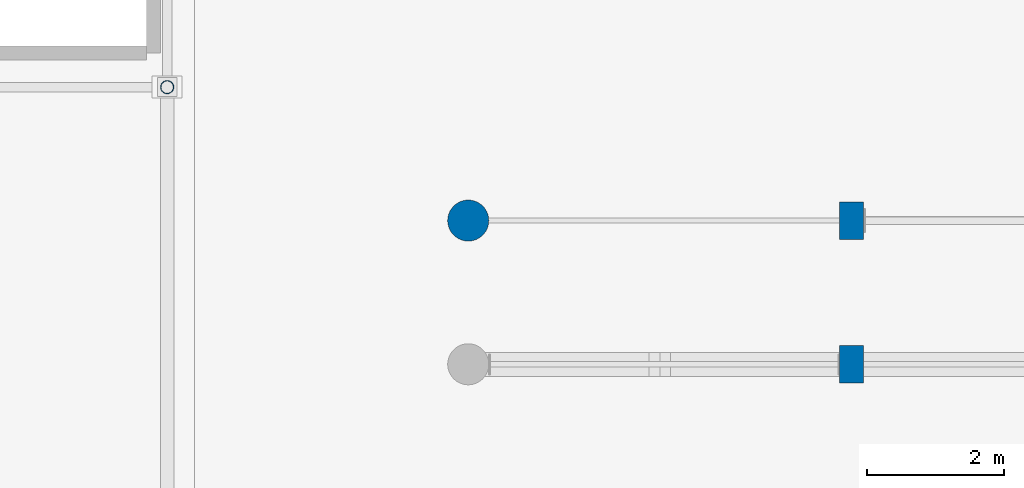
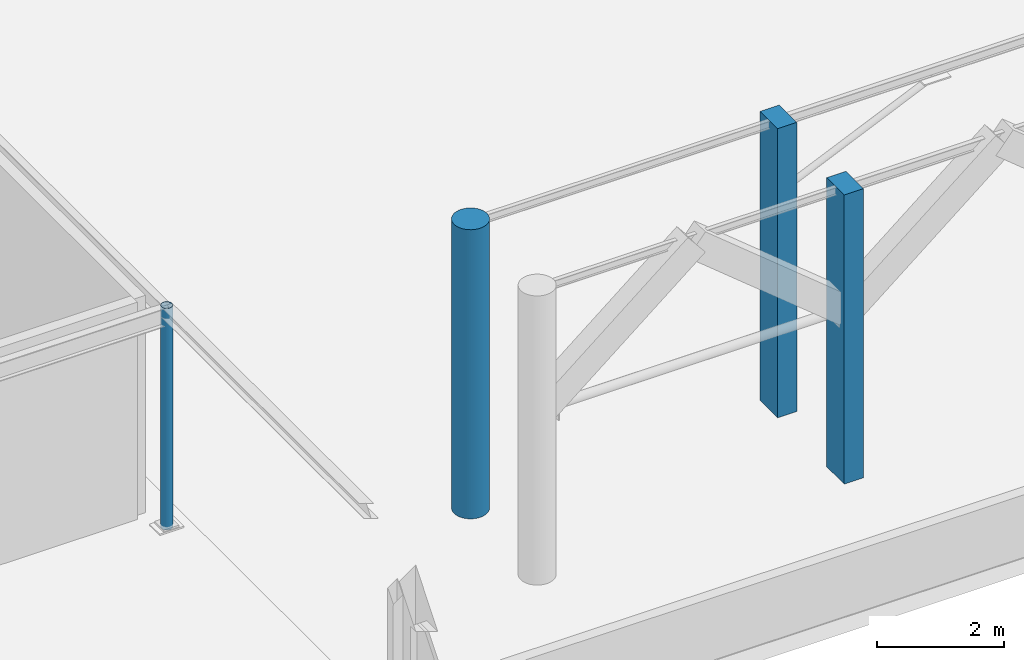
# One storey, part 3 of 135: 4 columns.
"""IFC4 building model written with IfcOpenShell, lengths in metres."""

from ifc_helpers import new_model, si_unit, direction, frame, origin, origin_2d, place, context, subcontext, project, spatial, rectangle, circle, hollow_circle, extrude, material, material_profile, profile_set, type_object, element, save


model = new_model("IFC4")

# Units and contexts
model_context = context("Model", 3, precision=1e-05, world=origin(), true_north=direction((0.0, 1.0)))
body_context = subcontext(model_context, "Body", "Model", "MODEL_VIEW")
ifc_project = project(units=[si_unit("LENGTHUNIT", "METRE"), si_unit("AREAUNIT", "SQUARE_METRE"), si_unit("VOLUMEUNIT", "CUBIC_METRE"), si_unit("PLANEANGLEUNIT", "RADIAN"), si_unit("MASSUNIT", "GRAM", prefix="KILO")], contexts=[model_context])

# Site, building, storey
site_placement = place(None, origin())
site = spatial("IfcSite", under=ifc_project, at=site_placement, CompositionType="ELEMENT")
building_placement = place(site_placement, origin())
building = spatial("IfcBuilding", under=site, at=building_placement, Name="Kiranvali Square Residences", CompositionType="ELEMENT")
storey_placement = place(building_placement, origin())
storey = spatial("IfcBuildingStorey", under=building, at=storey_placement, Name="L00", CompositionType="ELEMENT", Elevation=0.0)

# Columns
ifc_material_1 = material(Name="Concrete M40 (40 MPa)", Category="concrete")
ifc_material_profile_1 = material_profile(ifc_material_1, rectangle(XDim=0.35009765625, YDim=0.550048828125, at=origin_2d()), Name="RC 550x350")
ifc_profile_set_1 = profile_set([ifc_material_profile_1], Name="Concrete M40 (40 MPa)")
column_type_1 = type_object("IfcColumnType", Name="PIL-M40-550x350", PredefinedType="PILASTER", material=ifc_profile_set_1)
for number, where, z_axis, x_axis, name in (
    (1, (93.60009765625, 12.949951171875, 0.0), (0.0, 0.0, 1.0), (1.0, 0.0, 0.0), "Ottoman pointed-arch colonnade pilaster ARC-SQ-S-2"),
    (2, (93.60009765625, 15.050048828125, 0.0), (0.0, 0.0, 1.0), (1.0, 0.0, 0.0), "Ottoman pointed-arch colonnade inner pilaster ARC-SQ-S-2B"),
):
    element("IfcColumn", number, at=place(storey_placement, frame(where, z_axis=z_axis, x_axis=x_axis)), inside=storey, type_object=column_type_1, Name=name, PredefinedType="PILASTER", context=body_context, shape_type="SweptSolid", body=[
        extrude(rectangle(XDim=0.35009765625, YDim=0.550048828125, at=origin_2d()), origin(), (0.0, 0.0, 1.0), 5.56005859375),
    ])
ifc_material_profile_2 = material_profile(ifc_material_1, circle(Radius=0.300048828125, at=origin_2d()), Name="RC-CIRC 600")
ifc_profile_set_2 = profile_set([ifc_material_profile_2], Name="Concrete M40 (40 MPa)")
column_type_2 = type_object("IfcColumnType", Name="PIL-M40-C600", PredefinedType="PILASTER", material=ifc_profile_set_2)
column_1_placement = place(storey_placement, frame((88.0, 15.050048828125, 0.0), z_axis=(0.0, 0.0, 1.0), x_axis=(1.0, 0.0, 0.0)))
element("IfcColumn", 3, at=column_1_placement, inside=storey, type_object=column_type_2, Name="Ottoman pointed-arch colonnade inner pilaster ARC-SQ-S-1B", PredefinedType="PILASTER", context=body_context, shape_type="SweptSolid", body=[
    extrude(circle(Radius=0.300048828125, at=origin_2d()), origin(), (0.0, 0.0, 1.0), 5.56005859375),
])
ifc_material_2 = material(Name="Structural steel E350", Category="steel")
ifc_material_profile_3 = material_profile(ifc_material_2, hollow_circle(Radius=0.096923828125, WallThickness=0.006103515625, at=origin_2d()), Name="CHS 193.7x6.0")
ifc_profile_set_3 = profile_set([ifc_material_profile_3], Name="Structural steel E350")
column_type_3 = type_object("IfcColumnType", Name="SCOL-CHS193", PredefinedType="COLUMN", material=ifc_profile_set_3)
column_2_placement = place(storey_placement, frame((83.60009765625, 17.0, 0.0), z_axis=(0.0, 0.0, 1.0), x_axis=(1.0, 0.0, 0.0)))
element("IfcColumn", 4, at=column_2_placement, inside=storey, type_object=column_type_3, Name="South Boulevard Ramp and Arcade Portal steel column 3.2", PredefinedType="COLUMN", context=body_context, shape_type="SweptSolid", body=[
    extrude(hollow_circle(Radius=0.096923828125, WallThickness=0.006103515625, at=origin_2d()), origin(), (0.0, 0.0, 1.0), 4.260009765625),
])

save(model, "model.ifc")
